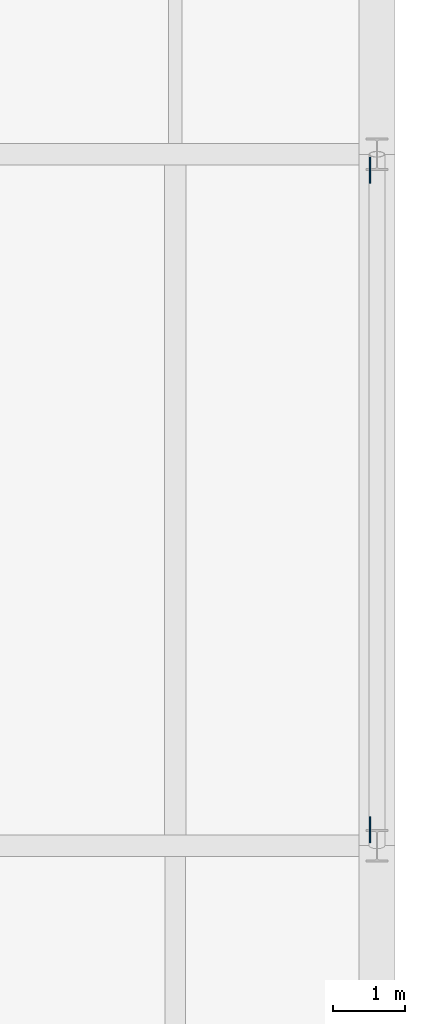
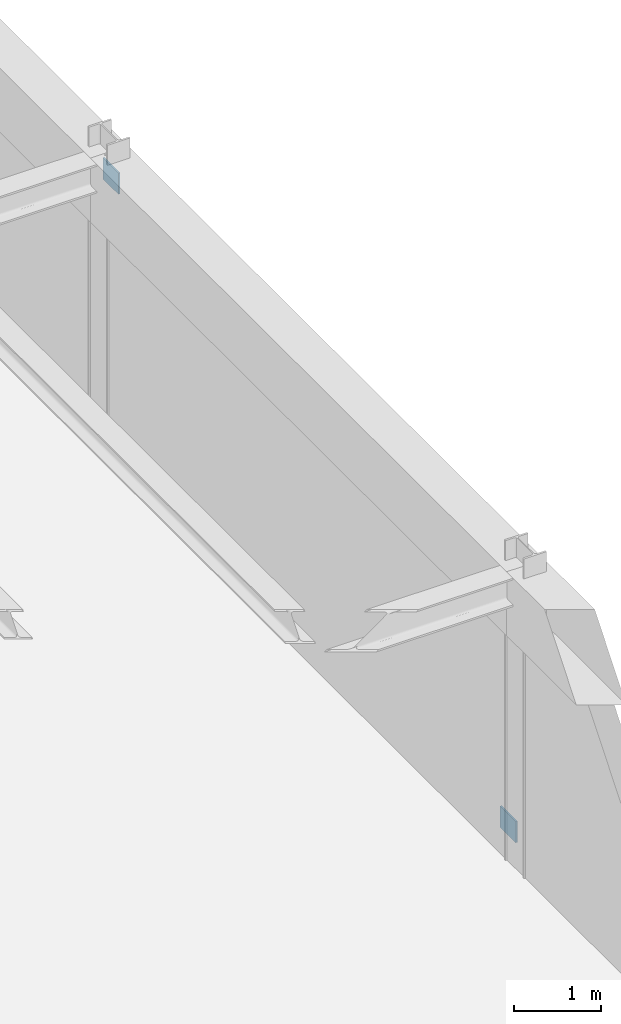
# One storey, part 42 of 64: 2 plates.
"""IFC4 building model written with IfcOpenShell, lengths in metres."""

from ifc_helpers import new_model, si_unit, direction, frame, origin, origin_2d, place, context, subcontext, project, spatial, rectangle, extrude, material, layer, layer_set, type_object, element, save


model = new_model("IFC4")

# Units and contexts
model_context = context("Model", 3, precision=1e-05, world=origin(), true_north=direction((0.0, 1.0)))
body_context = subcontext(model_context, "Body", "Model", "MODEL_VIEW")
ifc_project = project(units=[si_unit("LENGTHUNIT", "METRE"), si_unit("AREAUNIT", "SQUARE_METRE"), si_unit("VOLUMEUNIT", "CUBIC_METRE"), si_unit("PLANEANGLEUNIT", "RADIAN"), si_unit("MASSUNIT", "GRAM", prefix="KILO")], contexts=[model_context])

# Site, building, storey
site_placement = place(None, origin())
site = spatial("IfcSite", under=ifc_project, at=site_placement, CompositionType="ELEMENT")
building_placement = place(site_placement, origin())
building = spatial("IfcBuilding", under=site, at=building_placement, Name="Montealbar Specialist Clinic", CompositionType="ELEMENT")
storey_placement = place(building_placement, frame((0.0, 0.0, 5.10009765625)))
storey = spatial("IfcBuildingStorey", under=building, at=storey_placement, Name="L01", CompositionType="ELEMENT", Elevation=5.10009765625)

# Plates
ifc_material = material(Name="Steel S355", Category="steel")
ifc_layer = layer(ifc_material, 0.02001953125, Name="Steel S355", Category="steel")
ifc_layer_set = layer_set([ifc_layer], Name="Steel S355")
plate_type = type_object("IfcPlateType", Name="PL-GUSSET-20-EXT", PredefinedType="SHEET", material=ifc_layer_set)
for number, where, z_axis, x_axis, name in (
    (1, (161.905029296875, 62.02001953125, 0.330078125), (0.0, 0.0, 1.0), (0.0, 1.0, 0.0), "Lateral brace gusset plate LB-06-B"),
    (2, (161.905029296875, 71.179931640625, 3.89990234375), (0.0, 0.0, 1.0), (0.0, 1.0, 0.0), "Lateral brace gusset plate LB-06-T"),
):
    element("IfcPlate", number, at=place(storey_placement, frame(where, z_axis=z_axis, x_axis=x_axis)), inside=storey, type_object=plate_type, Name=name, PredefinedType="SHEET", context=body_context, shape_type="SweptSolid", body=[
        extrude(rectangle(XDim=0.360107421875, YDim=0.02001953125, at=origin_2d()), origin(), (0.0, 0.0, 1.0), 0.300048828125),
    ])

save(model, "model.ifc")
